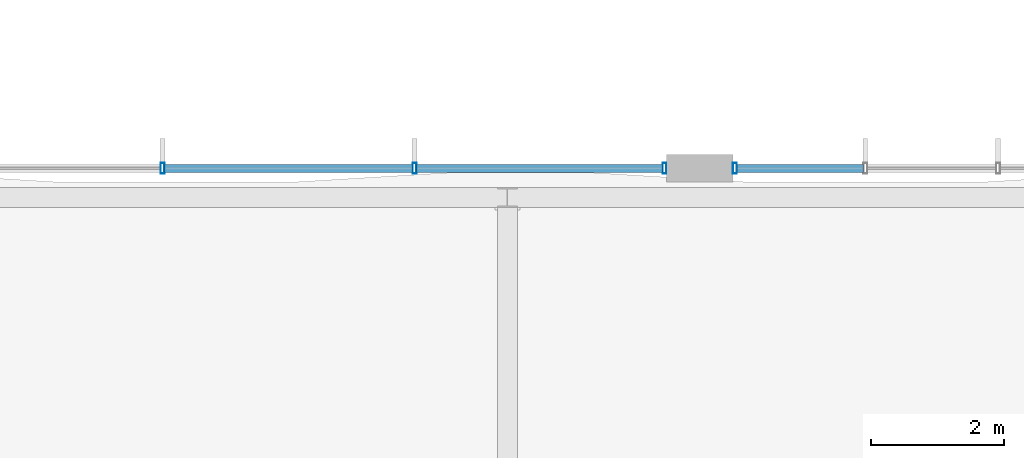
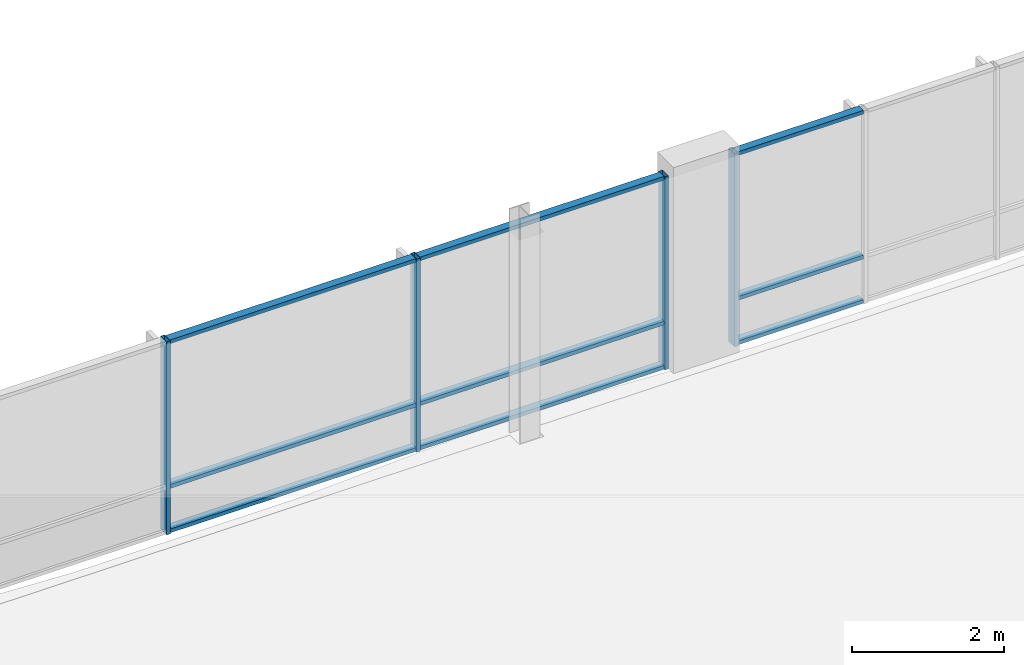
# One storey, part 104 of 189: 13 members, 2 elements without a shape of their own.
"""IFC4 building model written with IfcOpenShell, lengths in metres."""

from ifc_helpers import new_model, si_unit, direction, frame, origin, origin_2d, place, context, subcontext, project, spatial, hollow_rectangle, extrude, material, material_profile, profile_set, type_object, element, aggregate, save


model = new_model("IFC4")

# Units and contexts
model_context = context("Model", 3, precision=1e-05, world=origin(), true_north=direction((0.0, 1.0)))
body_context = subcontext(model_context, "Body", "Model", "MODEL_VIEW")
ifc_project = project(units=[si_unit("LENGTHUNIT", "METRE"), si_unit("AREAUNIT", "SQUARE_METRE"), si_unit("VOLUMEUNIT", "CUBIC_METRE"), si_unit("PLANEANGLEUNIT", "RADIAN"), si_unit("MASSUNIT", "GRAM", prefix="KILO")], contexts=[model_context])

# Site, building, storey
site_placement = place(None, origin())
site = spatial("IfcSite", under=ifc_project, at=site_placement, CompositionType="ELEMENT")
building_placement = place(site_placement, origin())
building = spatial("IfcBuilding", under=site, at=building_placement, Name="Zavelmont Quarter", CompositionType="ELEMENT")
storey_placement = place(building_placement, frame((0.0, 0.0, 4.39990234375)))
storey = spatial("IfcBuildingStorey", under=building, at=storey_placement, Name="L01", CompositionType="ELEMENT", Elevation=4.39990234375)

# Curtain wall, members
ifc_material_1 = material(Name="Thermally broken aluminium and double low-E safety glazing", Category="aluminium")
curtain_wall_type_1 = type_object("IfcCurtainWallType", Name="CW-1140X310", PredefinedType="NOTDEFINED", material=ifc_material_1)
curtain_wall_1_placement = place(storey_placement, origin())
curtain_wall_1 = element("IfcCurtainWall", 1, at=curtain_wall_1_placement, inside=storey, type_object=curtain_wall_type_1, Name="L01 unitised curtain wall CW-1140X310", PredefinedType="NOTDEFINED")
ifc_material_2 = material(Name="Powder-coated aluminium EN AW-6063-T6", Category="aluminium")
ifc_material_profile_1 = material_profile(ifc_material_2, hollow_rectangle(XDim=0.06005859375, YDim=0.159912109375, WallThickness=0.00390625, at=origin_2d()), Name="CWM60X160")
ifc_profile_set_1 = profile_set([ifc_material_profile_1], Name="Powder-coated aluminium EN AW-6063-T6")
member_type_1 = type_object("IfcMemberType", Name="CWM01", PredefinedType="MULLION", material=ifc_profile_set_1)
member_1_placement = place(storey_placement, frame((97.0, 116.0, 0.0), z_axis=(0.0, 0.0, 1.0), x_axis=(1.0, 0.0, 0.0)))
member_1 = element("IfcMember", 2, at=member_1_placement, type_object=member_type_1, Name="CW-1140X310 mullion 2", PredefinedType="MULLION", context=body_context, shape_type="SweptSolid", body=[
    extrude(hollow_rectangle(XDim=0.06005859375, YDim=0.159912109375, WallThickness=0.00390625, at=origin_2d()), origin(), (0.0, 0.0, 1.0), 3.10009765625),
])
member_2_placement = place(storey_placement, frame((100.800048828125, 116.0, 0.0), z_axis=(0.0, 0.0, 1.0), x_axis=(1.0, 0.0, 0.0)))
member_2 = element("IfcMember", 3, at=member_2_placement, type_object=member_type_1, Name="CW-1140X310 mullion 3", PredefinedType="MULLION", context=body_context, shape_type="SweptSolid", body=[
    extrude(hollow_rectangle(XDim=0.06005859375, YDim=0.159912109375, WallThickness=0.00390625, at=origin_2d()), origin(), (0.0, 0.0, 1.0), 3.10009765625),
])
member_3_placement = place(storey_placement, frame((104.570068359375, 116.0, 0.0), z_axis=(0.0, 0.0, 1.0), x_axis=(1.0, 0.0, 0.0)))
member_3 = element("IfcMember", 4, at=member_3_placement, type_object=member_type_1, Name="CW-1140X310 mullion 4", PredefinedType="MULLION", context=body_context, shape_type="SweptSolid", body=[
    extrude(hollow_rectangle(XDim=0.06005859375, YDim=0.159912109375, WallThickness=0.00390625, at=origin_2d()), origin(), (0.0, 0.0, 1.0), 3.10009765625),
])

# Curtain wall, member
curtain_wall_type_2 = type_object("IfcCurtainWallType", Name="CW-600X310", PredefinedType="NOTDEFINED", material=ifc_material_1)
curtain_wall_2_placement = place(storey_placement, origin())
curtain_wall_2 = element("IfcCurtainWall", 5, at=curtain_wall_2_placement, inside=storey, type_object=curtain_wall_type_2, Name="L01 unitised curtain wall CW-600X310", PredefinedType="NOTDEFINED")
member_4_placement = place(storey_placement, frame((105.6298828125, 116.0, 0.0), z_axis=(0.0, 0.0, 1.0), x_axis=(1.0, 0.0, 0.0)))
member_4 = element("IfcMember", 6, at=member_4_placement, type_object=member_type_1, Name="CW-600X310 mullion 1", PredefinedType="MULLION", context=body_context, shape_type="SweptSolid", body=[
    extrude(hollow_rectangle(XDim=0.06005859375, YDim=0.159912109375, WallThickness=0.00390625, at=origin_2d()), origin(), (0.0, 0.0, 1.0), 3.10009765625),
])

# Member
ifc_material_profile_2 = material_profile(ifc_material_2, hollow_rectangle(XDim=0.1201171875, YDim=0.06005859375, WallThickness=0.00390625, at=origin_2d()), Name="CWT60X120")
ifc_profile_set_2 = profile_set([ifc_material_profile_2], Name="Powder-coated aluminium EN AW-6063-T6")
member_type_2 = type_object("IfcMemberType", Name="CWT01", PredefinedType="NOTDEFINED", material=ifc_profile_set_2)
member_5_placement = place(storey_placement, frame((97.030029296875, 116.0, 0.030029296875), z_axis=(1.0, 0.0, 0.0), x_axis=(0.0, 1.0, 0.0)))
member_5 = element("IfcMember", 7, at=member_5_placement, type_object=member_type_2, Name="CW-1140X310 transom 2.1", ObjectType="TRANSOM", PredefinedType="USERDEFINED", context=body_context, shape_type="SweptSolid", body=[
    extrude(hollow_rectangle(XDim=0.1201171875, YDim=0.06005859375, WallThickness=0.00390625, at=origin_2d()), origin(), (0.0, 0.0, 1.0), 3.739990234375),
])

member_6_placement = place(storey_placement, frame((97.030029296875, 116.0, 0.744140625), z_axis=(1.0, 0.0, 0.0), x_axis=(0.0, 1.0, 0.0)))
member_6 = element("IfcMember", 8, at=member_6_placement, type_object=member_type_2, Name="CW-1140X310 transom 2.2", ObjectType="TRANSOM", PredefinedType="USERDEFINED", context=body_context, shape_type="SweptSolid", body=[
    extrude(hollow_rectangle(XDim=0.1201171875, YDim=0.06005859375, WallThickness=0.00390625, at=origin_2d()), origin(), (0.0, 0.0, 1.0), 3.739990234375),
])

member_7_placement = place(storey_placement, frame((97.030029296875, 116.0, 3.070068359375), z_axis=(1.0, 0.0, 0.0), x_axis=(0.0, 1.0, 0.0)))
member_7 = element("IfcMember", 9, at=member_7_placement, type_object=member_type_2, Name="CW-1140X310 transom 2.3", ObjectType="TRANSOM", PredefinedType="USERDEFINED", context=body_context, shape_type="SweptSolid", body=[
    extrude(hollow_rectangle(XDim=0.1201171875, YDim=0.06005859375, WallThickness=0.00390625, at=origin_2d()), origin(), (0.0, 0.0, 1.0), 3.739990234375),
])

member_8_placement = place(storey_placement, frame((100.830078125, 116.0, 0.030029296875), z_axis=(1.0, 0.0, 0.0), x_axis=(0.0, 1.0, 0.0)))
member_8 = element("IfcMember", 10, at=member_8_placement, type_object=member_type_2, Name="CW-1140X310 transom 3.1", ObjectType="TRANSOM", PredefinedType="USERDEFINED", context=body_context, shape_type="SweptSolid", body=[
    extrude(hollow_rectangle(XDim=0.1201171875, YDim=0.06005859375, WallThickness=0.00390625, at=origin_2d()), origin(), (0.0, 0.0, 1.0), 3.7099609375),
])

member_9_placement = place(storey_placement, frame((100.830078125, 116.0, 0.744140625), z_axis=(1.0, 0.0, 0.0), x_axis=(0.0, 1.0, 0.0)))
member_9 = element("IfcMember", 11, at=member_9_placement, type_object=member_type_2, Name="CW-1140X310 transom 3.2", ObjectType="TRANSOM", PredefinedType="USERDEFINED", context=body_context, shape_type="SweptSolid", body=[
    extrude(hollow_rectangle(XDim=0.1201171875, YDim=0.06005859375, WallThickness=0.00390625, at=origin_2d()), origin(), (0.0, 0.0, 1.0), 3.7099609375),
])

member_10_placement = place(storey_placement, frame((100.830078125, 116.0, 3.070068359375), z_axis=(1.0, 0.0, 0.0), x_axis=(0.0, 1.0, 0.0)))
member_10 = element("IfcMember", 12, at=member_10_placement, type_object=member_type_2, Name="CW-1140X310 transom 3.3", ObjectType="TRANSOM", PredefinedType="USERDEFINED", context=body_context, shape_type="SweptSolid", body=[
    extrude(hollow_rectangle(XDim=0.1201171875, YDim=0.06005859375, WallThickness=0.00390625, at=origin_2d()), origin(), (0.0, 0.0, 1.0), 3.7099609375),
])

aggregate(curtain_wall_1, [member_1, member_2, member_3, member_5, member_6, member_7, member_8, member_9, member_10])

member_11_placement = place(storey_placement, frame((105.659912109375, 116.0, 0.030029296875), z_axis=(1.0, 0.0, 0.0), x_axis=(0.0, 1.0, 0.0)))
member_11 = element("IfcMember", 13, at=member_11_placement, type_object=member_type_2, Name="CW-600X310 transom 1.1", ObjectType="TRANSOM", PredefinedType="USERDEFINED", context=body_context, shape_type="SweptSolid", body=[
    extrude(hollow_rectangle(XDim=0.1201171875, YDim=0.06005859375, WallThickness=0.00390625, at=origin_2d()), origin(), (0.0, 0.0, 1.0), 1.91015625),
])

member_12_placement = place(storey_placement, frame((105.659912109375, 116.0, 0.744140625), z_axis=(1.0, 0.0, 0.0), x_axis=(0.0, 1.0, 0.0)))
member_12 = element("IfcMember", 14, at=member_12_placement, type_object=member_type_2, Name="CW-600X310 transom 1.2", ObjectType="TRANSOM", PredefinedType="USERDEFINED", context=body_context, shape_type="SweptSolid", body=[
    extrude(hollow_rectangle(XDim=0.1201171875, YDim=0.06005859375, WallThickness=0.00390625, at=origin_2d()), origin(), (0.0, 0.0, 1.0), 1.91015625),
])

member_13_placement = place(storey_placement, frame((105.659912109375, 116.0, 3.070068359375), z_axis=(1.0, 0.0, 0.0), x_axis=(0.0, 1.0, 0.0)))
member_13 = element("IfcMember", 15, at=member_13_placement, type_object=member_type_2, Name="CW-600X310 transom 1.3", ObjectType="TRANSOM", PredefinedType="USERDEFINED", context=body_context, shape_type="SweptSolid", body=[
    extrude(hollow_rectangle(XDim=0.1201171875, YDim=0.06005859375, WallThickness=0.00390625, at=origin_2d()), origin(), (0.0, 0.0, 1.0), 1.91015625),
])

aggregate(curtain_wall_2, [member_4, member_11, member_12, member_13])

save(model, "model.ifc")
